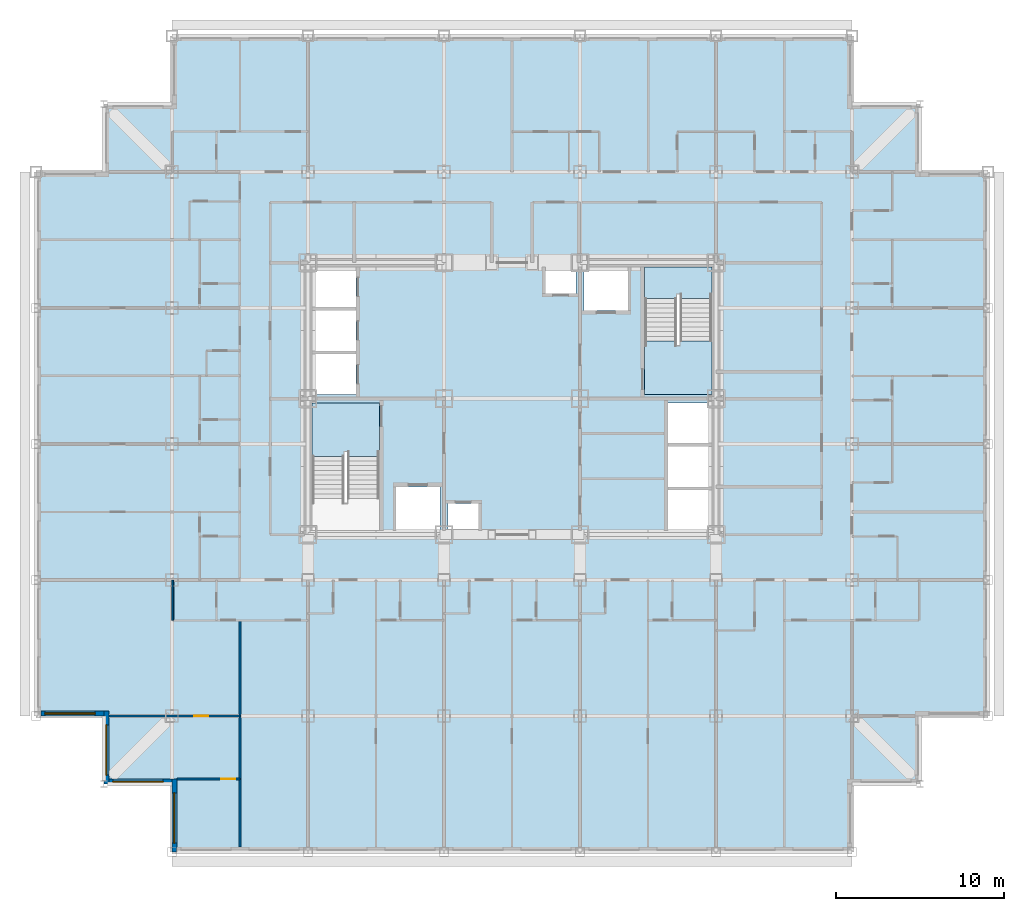
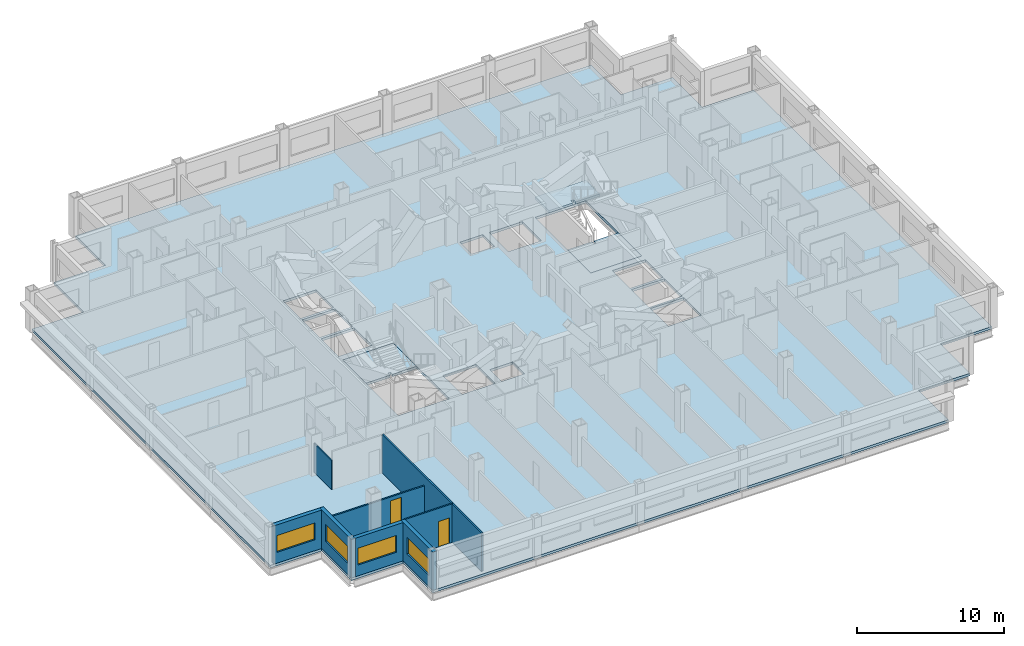
# One storey, part 3 of 12: 8 walls, 4 slabs, 4 windows, 2 doors, 6 openings, 2 elements without a shape of their own.
"""IFC4 building model written with IfcOpenShell, lengths in metres."""

from ifc_helpers import new_model, si_unit, direction, frame, frame_2d, origin, place, context, subcontext, project, spatial, polyline, rectangle, outline, extrude, material, layer, layer_set, type_object, element, fill, aggregate, save


model = new_model("IFC4")

# Units and contexts
model_context = context("Model", 3, precision=1e-05, world=origin(), true_north=direction((0.0, 1.0)))
body_context = subcontext(model_context, "Body", "Model", "MODEL_VIEW")
ifc_project = project(units=[si_unit("LENGTHUNIT", "METRE"), si_unit("AREAUNIT", "SQUARE_METRE"), si_unit("VOLUMEUNIT", "CUBIC_METRE"), si_unit("PLANEANGLEUNIT", "RADIAN"), si_unit("MASSUNIT", "GRAM", prefix="KILO")], contexts=[model_context])

# Site, building, storey
site_placement = place(None, origin())
site = spatial("IfcSite", under=ifc_project, at=site_placement, CompositionType="ELEMENT")
building_placement = place(site_placement, origin())
building = spatial("IfcBuilding", under=site, at=building_placement, Name="Kopane Lantern Tower", CompositionType="ELEMENT")
storey_placement = place(building_placement, frame((0.0, 0.0, 144.199951171875)))
storey = spatial("IfcBuildingStorey", under=building, at=storey_placement, Name="L37", CompositionType="ELEMENT", Elevation=144.199951171875)

# Slab
ifc_material_1 = material(Name="Concrete C40/50", Category="concrete")
ifc_layer_1 = layer(ifc_material_1, 0.2099609375)
ifc_layer_set_1 = layer_set([ifc_layer_1], Name="SLAB 210 COMPOSITE")
slab_type_1 = type_object("IfcSlabType", Name="SLAB 210 COMPOSITE", PredefinedType="FLOOR", material=ifc_layer_set_1)
slab_1_placement = place(storey_placement, frame((0.0, 0.0, -0.2099609375)))
element("IfcSlab", 1, at=slab_1_placement, inside=storey, type_object=slab_type_1, Name="Floor slab L37", PredefinedType="FLOOR", context=body_context, shape_type="SweptSolid", body=[
    extrude(outline(polyline([(8.10009765625, 5.39990234375), (48.60009765625, 5.39990234375), (48.60009765625, 9.449951171875), (52.64990234375, 9.449951171875), (52.64990234375, 13.5), (56.699951171875, 13.5), (56.699951171875, 45.89990234375), (52.64990234375, 45.89990234375), (52.64990234375, 49.949951171875), (48.60009765625, 49.949951171875), (48.60009765625, 54.0), (8.10009765625, 54.0), (8.10009765625, 49.949951171875), (4.050048828125, 49.949951171875), (4.050048828125, 45.89990234375), (0.0, 45.89990234375), (0.0, 13.5), (4.050048828125, 13.5), (4.050048828125, 9.449951171875), (8.10009765625, 9.449951171875), (8.10009765625, 5.39990234375)]), holes=[polyline([(16.449951171875, 24.550048828125), (20.449951171875, 24.550048828125), (20.449951171875, 32.14990234375), (16.449951171875, 32.14990234375), (16.449951171875, 24.550048828125)]), polyline([(36.25, 32.64990234375), (40.25, 32.64990234375), (40.25, 40.25), (36.25, 40.25), (36.25, 32.64990234375)]), polyline([(16.449951171875, 32.64990234375), (19.050048828125, 32.64990234375), (19.050048828125, 35.050048828125), (16.449951171875, 35.050048828125), (16.449951171875, 32.64990234375)]), polyline([(16.449951171875, 35.25), (19.050048828125, 35.25), (19.050048828125, 37.64990234375), (16.449951171875, 37.64990234375), (16.449951171875, 35.25)]), polyline([(16.449951171875, 37.85009765625), (19.050048828125, 37.85009765625), (19.050048828125, 40.25), (16.449951171875, 40.25), (16.449951171875, 37.85009765625)]), polyline([(37.64990234375, 24.550048828125), (40.25, 24.550048828125), (40.25, 26.949951171875), (37.64990234375, 26.949951171875), (37.64990234375, 24.550048828125)]), polyline([(37.64990234375, 27.14990234375), (40.25, 27.14990234375), (40.25, 29.550048828125), (37.64990234375, 29.550048828125), (37.64990234375, 27.14990234375)]), polyline([(37.64990234375, 29.75), (40.25, 29.75), (40.25, 32.14990234375), (37.64990234375, 32.14990234375), (37.64990234375, 29.75)]), polyline([(21.449951171875, 24.550048828125), (24.050048828125, 24.550048828125), (24.050048828125, 27.14990234375), (21.449951171875, 27.14990234375), (21.449951171875, 24.550048828125)]), polyline([(32.64990234375, 37.64990234375), (35.25, 37.64990234375), (35.25, 40.25), (32.64990234375, 40.25), (32.64990234375, 37.64990234375)]), polyline([(24.550048828125, 24.550048828125), (26.35009765625, 24.550048828125), (26.35009765625, 26.14990234375), (24.550048828125, 26.14990234375), (24.550048828125, 24.550048828125)]), polyline([(30.35009765625, 38.64990234375), (32.14990234375, 38.64990234375), (32.14990234375, 40.25), (30.35009765625, 40.25), (30.35009765625, 38.64990234375)])]), origin(), (0.0, 0.0, 1.0), 0.2099609375),
])

# Stair, slab
ifc_material_2 = material(Name="Steel S355JR", Category="steel")
stair_type = type_object("IfcStairType", Name="EXIT STAIR 1900 HALF TURN", PredefinedType="HALF_TURN_STAIR", material=ifc_material_2)
stair_1_placement = place(storey_placement, origin())
stair_1 = element("IfcStair", 2, at=stair_1_placement, inside=storey, type_object=stair_type, Name="Exit stair ST1 L37", PredefinedType="HALF_TURN_STAIR")
ifc_material_3 = material(Name="Concrete C40/50", Category="concrete")
ifc_layer_2 = layer(ifc_material_3, 0.199951171875)
ifc_layer_set_2 = layer_set([ifc_layer_2], Name="STAIR LANDING 200")
slab_type_2 = type_object("IfcSlabType", Name="STAIR LANDING 200", PredefinedType="LANDING", material=ifc_layer_set_2)
slab_2_placement = place(storey_placement, frame((0.0, 0.0, -0.199951171875)))
slab_2 = element("IfcSlab", 3, at=slab_2_placement, type_object=slab_type_2, Name="ST1 landing 1", PredefinedType="LANDING", context=body_context, shape_type="SweptSolid", body=[
    extrude(outline(polyline([(18.35009765625, 29.25), (18.550048828125, 29.25), (18.550048828125, 28.969970703125), (20.449951171875, 28.969970703125), (20.449951171875, 32.14990234375), (16.449951171875, 32.14990234375), (16.449951171875, 28.969970703125), (18.35009765625, 28.969970703125), (18.35009765625, 29.25)])), origin(), (0.0, 0.0, 1.0), 0.199951171875),
])
aggregate(stair_1, [slab_2])

# Stair, slabs
stair_2_placement = place(storey_placement, origin())
stair_2 = element("IfcStair", 4, at=stair_2_placement, inside=storey, type_object=stair_type, Name="Exit stair ST2 L37", PredefinedType="HALF_TURN_STAIR")
slab_3_placement = place(storey_placement, frame((0.0, 0.0, -0.199951171875)))
slab_3 = element("IfcSlab", 5, at=slab_3_placement, type_object=slab_type_2, Name="ST2 landing 1", PredefinedType="LANDING", context=body_context, shape_type="SweptSolid", body=[
    extrude(outline(polyline([(40.25, 35.830078125), (38.35009765625, 35.830078125), (38.35009765625, 35.550048828125), (38.14990234375, 35.550048828125), (38.14990234375, 35.830078125), (36.25, 35.830078125), (36.25, 32.64990234375), (40.25, 32.64990234375), (40.25, 35.830078125)])), origin(), (0.0, 0.0, 1.0), 0.199951171875),
])
slab_4_placement = place(storey_placement, frame((0.0, 0.0, 1.5)))
slab_4 = element("IfcSlab", 6, at=slab_4_placement, type_object=slab_type_2, Name="ST2 landing 2", PredefinedType="LANDING", context=body_context, shape_type="SweptSolid", body=[
    extrude(outline(polyline([(38.14990234375, 38.6298828125), (38.35009765625, 38.6298828125), (38.35009765625, 38.35009765625), (40.25, 38.35009765625), (40.25, 40.25), (36.25, 40.25), (36.25, 38.35009765625), (38.14990234375, 38.35009765625), (38.14990234375, 38.6298828125)])), origin(), (0.0, 0.0, 1.0), 0.199951171875),
])
aggregate(stair_2, [slab_3, slab_4])

# Wall
ifc_material_4 = material(Name="Gypsum board on steel studs", Category="steel")
ifc_layer_3 = layer(ifc_material_4, 0.1201171875)
ifc_layer_set_3 = layer_set([ifc_layer_3], Name="APARTMENT INTERNAL WALL 120")
wall_type_1 = type_object("IfcWallType", Name="APARTMENT INTERNAL WALL 120", PredefinedType="PARTITIONING", material=ifc_layer_set_3)
wall_1_placement = place(storey_placement, frame((12.14990234375, 19.199951171875, 0.0), z_axis=(0.0, 0.0, 1.0), x_axis=(0.0, -1.0, 0.0)))
element("IfcWall", 7, at=wall_1_placement, inside=storey, type_object=wall_type_1, Name="Apartment Internal Wall 120 L37", PredefinedType="PARTITIONING", context=body_context, shape_type="SweptSolid", body=[
    extrude(rectangle(XDim=13.5, YDim=0.1201171875, at=frame_2d((6.75, 0.0))), origin(), (0.0, 0.0, 1.0), 3.18994140625),
])

# Wall, opening, door
wall_2_placement = place(storey_placement, frame((12.14990234375, 13.5, 0.0), z_axis=(0.0, 0.0, 1.0), x_axis=(-1.0, 0.0, 0.0)))
wall_2 = element("IfcWall", 8, at=wall_2_placement, inside=storey, type_object=wall_type_1, Name="Apartment Internal Wall 120 L37", PredefinedType="PARTITIONING", context=body_context, shape_type="SweptSolid", body=[
    extrude(rectangle(XDim=7.7998046875, YDim=0.1201171875, at=frame_2d((3.89990234375, 0.0))), origin(), (0.0, 0.0, 1.0), 2.420166015625),
])
opening_1_placement = place(wall_2_placement, frame((1.875, 0.0, 0.0)))
opening_1 = element("IfcOpeningElement", 9, at=opening_1_placement, cuts=wall_2, Name="Opening L37-060", PredefinedType="OPENING", context=body_context, shape_type="SweptSolid", body=[
    extrude(rectangle(XDim=0.85009765625, YDim=2.10009765625, at=frame_2d((0.425048828125, 1.050048828125))), frame((0.0, 0.070068359375, 0.0), z_axis=(0.0, -1.0, 0.0), x_axis=(1.0, 0.0, 0.0)), (0.0, 0.0, 1.0), 0.14013671875),
])
ifc_material_5 = material(Name="Timber door set", Category="wood")
door_type = type_object("IfcDoorType", Name="DOOR D4 850x2100", OperationType="SINGLE_SWING_LEFT", PredefinedType="DOOR", material=ifc_material_5)
door_1_placement = place(opening_1_placement, origin())
door_1 = element("IfcDoor", 10, at=door_1_placement, inside=storey, type_object=door_type, Name="Door L37-060", OperationType="SINGLE_SWING_LEFT", OverallHeight=2.10009765625, OverallWidth=0.85009765625, PredefinedType="DOOR", context=body_context, shape_type="SweptSolid", body=[
    extrude(rectangle(XDim=0.85009765625, YDim=2.10009765625, at=frame_2d((0.425048828125, 1.050048828125))), frame((0.0, 0.02490234375, 0.0), z_axis=(0.0, -1.0, 0.0), x_axis=(1.0, 0.0, 0.0)), (0.0, 0.0, 1.0), 0.050048828125),
])
fill(opening_1, door_1)

wall_3_placement = place(storey_placement, frame((8.389892578125, 9.75, 0.0), z_axis=(0.0, 0.0, 1.0), x_axis=(1.0, 0.0, 0.0)))
wall_3 = element("IfcWall", 11, at=wall_3_placement, inside=storey, type_object=wall_type_1, Name="Apartment Internal Wall 120 L37", PredefinedType="PARTITIONING", context=body_context, shape_type="SweptSolid", body=[
    extrude(rectangle(XDim=3.760009765625, YDim=0.1201171875, at=frame_2d((1.8798828125, 0.0))), origin(), (0.0, 0.0, 1.0), 3.18994140625),
])
opening_2_placement = place(wall_3_placement, frame((2.635009765625, 0.0, 0.0)))
opening_2 = element("IfcOpeningElement", 12, at=opening_2_placement, cuts=wall_3, Name="Opening L37-081", PredefinedType="OPENING", context=body_context, shape_type="SweptSolid", body=[
    extrude(rectangle(XDim=0.85009765625, YDim=2.10009765625, at=frame_2d((0.425048828125, 1.050048828125))), frame((0.0, 0.070068359375, 0.0), z_axis=(0.0, -1.0, 0.0), x_axis=(1.0, 0.0, 0.0)), (0.0, 0.0, 1.0), 0.14013671875),
])
door_2_placement = place(opening_2_placement, origin())
door_2 = element("IfcDoor", 13, at=door_2_placement, inside=storey, type_object=door_type, Name="Door L37-081", OperationType="SINGLE_SWING_RIGHT", OverallHeight=2.10009765625, OverallWidth=0.85009765625, PredefinedType="DOOR", context=body_context, shape_type="SweptSolid", body=[
    extrude(rectangle(XDim=0.85009765625, YDim=2.10009765625, at=frame_2d((0.425048828125, 1.050048828125))), frame((0.0, 0.02490234375, 0.0), z_axis=(0.0, -1.0, 0.0), x_axis=(1.0, 0.0, 0.0)), (0.0, 0.0, 1.0), 0.050048828125),
])
fill(opening_2, door_2)

# Wall
ifc_material_6 = material(Name="Moisture-resistant board on steel studs", Category="steel")
ifc_layer_4 = layer(ifc_material_6, 0.10009765625)
ifc_layer_set_4 = layer_set([ifc_layer_4], Name="BATHROOM WALL 100")
wall_type_2 = type_object("IfcWallType", Name="BATHROOM WALL 100", PredefinedType="PARTITIONING", material=ifc_layer_set_4)
wall_4_placement = place(storey_placement, frame((8.14990234375, 21.60009765625, 0.0), z_axis=(0.0, 0.0, 1.0), x_axis=(0.0, -1.0, 0.0)))
element("IfcWall", 14, at=wall_4_placement, inside=storey, type_object=wall_type_2, Name="Bathroom Wall 100 L37", PredefinedType="PARTITIONING", context=body_context, shape_type="SweptSolid", body=[
    extrude(rectangle(XDim=2.400146484375, YDim=0.10009765625, at=frame_2d((1.2001953125, 0.0))), origin(), (0.0, 0.0, 1.0), 2.420166015625),
])

# Wall, opening, window
ifc_material_7 = material(Name="Terracotta rainscreen on light steel framing", Category="masonry")
ifc_layer_5 = layer(ifc_material_7, 0.300048828125)
ifc_layer_set_5 = layer_set([ifc_layer_5], Name="EXTERNAL WALL EW1 300 TERRACOTTA")
wall_type_3 = type_object("IfcWallType", Name="EXTERNAL WALL EW1 300 TERRACOTTA", PredefinedType="SOLIDWALL", material=ifc_layer_set_5)
wall_5_placement = place(storey_placement, frame((0.300048828125, 13.64990234375, 0.0), z_axis=(0.0, 0.0, 1.0), x_axis=(1.0, 0.0, 0.0)))
wall_5 = element("IfcWall", 15, at=wall_5_placement, inside=storey, type_object=wall_type_3, Name="External wall S L37", PredefinedType="SOLIDWALL", context=body_context, shape_type="SweptSolid", body=[
    extrude(rectangle(XDim=3.75, YDim=0.300048828125, at=frame_2d((1.875, 0.0))), origin(), (0.0, 0.0, 1.0), 3.18994140625),
])
opening_3_placement = place(wall_5_placement, frame((0.22509765625, 0.0, 0.89990234375)))
opening_3 = element("IfcOpeningElement", 16, at=opening_3_placement, cuts=wall_5, Name="Opening WR300140", PredefinedType="OPENING", context=body_context, shape_type="SweptSolid", body=[
    extrude(rectangle(XDim=3.0, YDim=1.39990234375, at=frame_2d((1.5, 0.699951171875))), frame((0.0, 0.159912109375, 0.0), z_axis=(0.0, -1.0, 0.0), x_axis=(1.0, 0.0, 0.0)), (0.0, 0.0, 1.0), 0.320068359375),
])
ifc_material_8 = material(Name="Aluminium and clear glass", Category="aluminium")
window_type = type_object("IfcWindowType", Name="RIBBON WINDOW WR300140 3000x1400", PartitioningType="SINGLE_PANEL", PredefinedType="WINDOW", material=ifc_material_8)
window_1_placement = place(opening_3_placement, origin())
window_1 = element("IfcWindow", 17, at=window_1_placement, inside=storey, type_object=window_type, Name="Window S L37", OverallHeight=1.39990234375, OverallWidth=3.0, PartitioningType="SINGLE_PANEL", PredefinedType="WINDOW", context=body_context, shape_type="SweptSolid", body=[
    extrude(rectangle(XDim=3.0, YDim=1.39990234375, at=frame_2d((1.5, 0.699951171875))), frame((0.0, 0.030029296875, 0.0), z_axis=(0.0, -1.0, 0.0), x_axis=(1.0, 0.0, 0.0)), (0.0, 0.0, 1.0), 0.06005859375),
])
fill(opening_3, window_1)

wall_6_placement = place(storey_placement, frame((4.199951171875, 13.800048828125, 0.0), z_axis=(0.0, 0.0, 1.0), x_axis=(0.0, -1.0, 0.0)))
wall_6 = element("IfcWall", 18, at=wall_6_placement, inside=storey, type_object=wall_type_3, Name="External wall W L37", PredefinedType="SOLIDWALL", context=body_context, shape_type="SweptSolid", body=[
    extrude(rectangle(XDim=4.35009765625, YDim=0.300048828125, at=frame_2d((2.175048828125, 0.0))), origin(), (0.0, 0.0, 1.0), 3.18994140625),
])
opening_4_placement = place(wall_6_placement, frame((0.824951171875, 0.0, 0.89990234375)))
opening_4 = element("IfcOpeningElement", 19, at=opening_4_placement, cuts=wall_6, Name="Opening WR300140", PredefinedType="OPENING", context=body_context, shape_type="SweptSolid", body=[
    extrude(rectangle(XDim=3.0, YDim=1.39990234375, at=frame_2d((1.5, 0.699951171875))), frame((0.0, 0.159912109375, 0.0), z_axis=(0.0, -1.0, 0.0), x_axis=(1.0, 0.0, 0.0)), (0.0, 0.0, 1.0), 0.320068359375),
])
window_2_placement = place(opening_4_placement, origin())
window_2 = element("IfcWindow", 20, at=window_2_placement, inside=storey, type_object=window_type, Name="Window W L37", OverallHeight=1.39990234375, OverallWidth=3.0, PartitioningType="SINGLE_PANEL", PredefinedType="WINDOW", context=body_context, shape_type="SweptSolid", body=[
    extrude(rectangle(XDim=3.0, YDim=1.39990234375, at=frame_2d((1.5, 0.699951171875))), frame((0.0, 0.030029296875, 0.0), z_axis=(0.0, -1.0, 0.0), x_axis=(1.0, 0.0, 0.0)), (0.0, 0.0, 1.0), 0.06005859375),
])
fill(opening_4, window_2)

wall_7_placement = place(storey_placement, frame((4.35009765625, 9.60009765625, 0.0), z_axis=(0.0, 0.0, 1.0), x_axis=(1.0, 0.0, 0.0)))
wall_7 = element("IfcWall", 21, at=wall_7_placement, inside=storey, type_object=wall_type_3, Name="External wall S L37", PredefinedType="SOLIDWALL", context=body_context, shape_type="SweptSolid", body=[
    extrude(rectangle(XDim=3.75, YDim=0.300048828125, at=frame_2d((1.875, 0.0))), origin(), (0.0, 0.0, 1.0), 3.18994140625),
])
opening_5_placement = place(wall_7_placement, frame((0.22509765625, 0.0, 0.89990234375)))
opening_5 = element("IfcOpeningElement", 22, at=opening_5_placement, cuts=wall_7, Name="Opening WR300140", PredefinedType="OPENING", context=body_context, shape_type="SweptSolid", body=[
    extrude(rectangle(XDim=3.0, YDim=1.39990234375, at=frame_2d((1.5, 0.699951171875))), frame((0.0, 0.159912109375, 0.0), z_axis=(0.0, -1.0, 0.0), x_axis=(1.0, 0.0, 0.0)), (0.0, 0.0, 1.0), 0.320068359375),
])
window_3_placement = place(opening_5_placement, origin())
window_3 = element("IfcWindow", 23, at=window_3_placement, inside=storey, type_object=window_type, Name="Window S L37", OverallHeight=1.39990234375, OverallWidth=3.0, PartitioningType="SINGLE_PANEL", PredefinedType="WINDOW", context=body_context, shape_type="SweptSolid", body=[
    extrude(rectangle(XDim=3.0, YDim=1.39990234375, at=frame_2d((1.5, 0.699951171875))), frame((0.0, 0.030029296875, 0.0), z_axis=(0.0, -1.0, 0.0), x_axis=(1.0, 0.0, 0.0)), (0.0, 0.0, 1.0), 0.06005859375),
])
fill(opening_5, window_3)

wall_8_placement = place(storey_placement, frame((8.25, 9.75, 0.0), z_axis=(0.0, 0.0, 1.0), x_axis=(0.0, -1.0, 0.0)))
wall_8 = element("IfcWall", 24, at=wall_8_placement, inside=storey, type_object=wall_type_3, Name="External wall W L37", PredefinedType="SOLIDWALL", context=body_context, shape_type="SweptSolid", body=[
    extrude(rectangle(XDim=4.35009765625, YDim=0.300048828125, at=frame_2d((2.175048828125, 0.0))), origin(), (0.0, 0.0, 1.0), 3.18994140625),
])
opening_6_placement = place(wall_8_placement, frame((0.824951171875, 0.0, 0.89990234375)))
opening_6 = element("IfcOpeningElement", 25, at=opening_6_placement, cuts=wall_8, Name="Opening WR300140", PredefinedType="OPENING", context=body_context, shape_type="SweptSolid", body=[
    extrude(rectangle(XDim=3.0, YDim=1.39990234375, at=frame_2d((1.5, 0.699951171875))), frame((0.0, 0.159912109375, 0.0), z_axis=(0.0, -1.0, 0.0), x_axis=(1.0, 0.0, 0.0)), (0.0, 0.0, 1.0), 0.320068359375),
])
window_4_placement = place(opening_6_placement, origin())
window_4 = element("IfcWindow", 26, at=window_4_placement, inside=storey, type_object=window_type, Name="Window W L37", OverallHeight=1.39990234375, OverallWidth=3.0, PartitioningType="SINGLE_PANEL", PredefinedType="WINDOW", context=body_context, shape_type="SweptSolid", body=[
    extrude(rectangle(XDim=3.0, YDim=1.39990234375, at=frame_2d((1.5, 0.699951171875))), frame((0.0, 0.030029296875, 0.0), z_axis=(0.0, -1.0, 0.0), x_axis=(1.0, 0.0, 0.0)), (0.0, 0.0, 1.0), 0.06005859375),
])
fill(opening_6, window_4)

save(model, "model.ifc")
